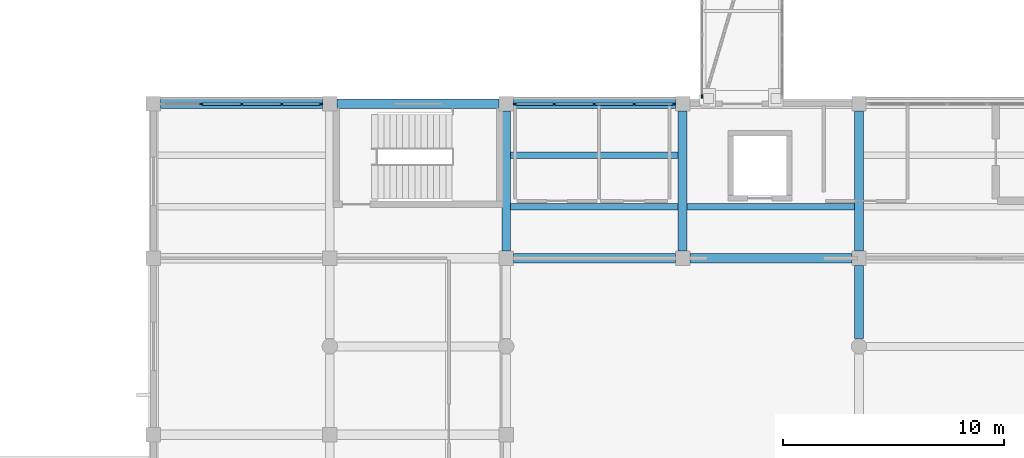
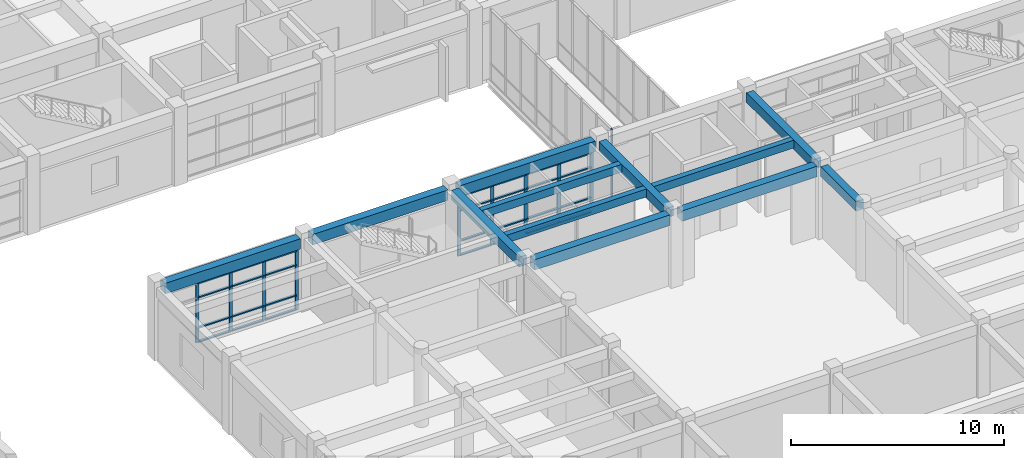
# One storey, part 18 of 72: 38 members, 12 beams, 3 elements without a shape of their own.
"""IFC4 building model written with IfcOpenShell, lengths in metres."""

from ifc_helpers import new_model, si_unit, direction, frame, origin, origin_2d, place, context, subcontext, project, spatial, rectangle, extrude, material, layer, layer_set, material_profile, profile_set, type_object, element, aggregate, save


model = new_model("IFC4")

# Units and contexts
model_context = context("Model", 3, precision=1e-05, world=origin(), true_north=direction((0.0, 1.0)))
body_context = subcontext(model_context, "Body", "Model", "MODEL_VIEW")
ifc_project = project(units=[si_unit("LENGTHUNIT", "METRE"), si_unit("AREAUNIT", "SQUARE_METRE"), si_unit("VOLUMEUNIT", "CUBIC_METRE"), si_unit("PLANEANGLEUNIT", "RADIAN"), si_unit("MASSUNIT", "GRAM", prefix="KILO")], contexts=[model_context])

# Site, building, storey
site_placement = place(None, origin())
site = spatial("IfcSite", under=ifc_project, at=site_placement, CompositionType="ELEMENT")
building_placement = place(site_placement, origin())
building = spatial("IfcBuilding", under=site, at=building_placement, Name="Naurynzar Civic Courthouse", CompositionType="ELEMENT")
storey_placement = place(building_placement, frame((0.0, 0.0, 9.89990234375)))
storey = spatial("IfcBuildingStorey", under=building, at=storey_placement, Name="L03", CompositionType="ELEMENT", Elevation=9.89990234375)

# Beams
ifc_material_1 = material(Name="Concrete C40/50", Category="concrete")
ifc_material_profile_1 = material_profile(ifc_material_1, rectangle(XDim=0.300048828125, YDim=0.449951171875, at=origin_2d()), Name="RCJ 300x450")
ifc_profile_set_1 = profile_set([ifc_material_profile_1], Name="Concrete C40/50")
beam_type_1 = type_object("IfcBeamType", Name="BM-JST-300x450", PredefinedType="JOIST", material=ifc_profile_set_1)
for number, where, z_axis, x_axis, name in (
    (1, (85.199951171875, 27.333251953125, 3.93505859375), (1.0, 0.0, 0.0), (0.0, 1.0, 0.0), "V3 secondary rib 1485 L03"),
    (2, (85.199951171875, 29.666748046875, 3.93505859375), (1.0, 0.0, 0.0), (0.0, 1.0, 0.0), "V3 secondary rib 1486 L03"),
    (3, (93.199951171875, 27.333251953125, 3.93505859375), (1.0, 0.0, 0.0), (0.0, 1.0, 0.0), "V3 secondary rib 1487 L03"),
):
    element("IfcBeam", number, at=place(storey_placement, frame(where, z_axis=z_axis, x_axis=x_axis)), inside=storey, type_object=beam_type_1, Name=name, PredefinedType="JOIST", context=body_context, shape_type="SweptSolid", body=[
        extrude(rectangle(XDim=0.300048828125, YDim=0.449951171875, at=origin_2d()), origin(), (0.0, 0.0, 1.0), 7.60009765625),
    ])
ifc_material_2 = material(Name="Concrete C40/50", Category="concrete")
ifc_material_profile_2 = material_profile(ifc_material_2, rectangle(XDim=0.39990234375, YDim=0.550048828125, at=origin_2d()), Name="RCB 400x550")
ifc_profile_set_2 = profile_set([ifc_material_profile_2], Name="Concrete C40/50")
beam_type_2 = type_object("IfcBeamType", Name="BM-RC-400x550", PredefinedType="BEAM", material=ifc_profile_set_2)
for number, where, z_axis, x_axis, name in (
    (4, (85.0, 25.324951171875, 3.885009765625), (0.0, 1.0, 0.0), (-1.0, 0.0, 0.0), "V3 girder Y-1458 L03"),
    (5, (93.0, 25.324951171875, 3.885009765625), (0.0, 1.0, 0.0), (-1.0, 0.0, 0.0), "V3 girder Y-1460 L03"),
):
    element("IfcBeam", number, at=place(storey_placement, frame(where, z_axis=z_axis, x_axis=x_axis)), inside=storey, type_object=beam_type_2, Name=name, PredefinedType="BEAM", context=body_context, shape_type="SweptSolid", body=[
        extrude(rectangle(XDim=0.39990234375, YDim=0.550048828125, at=origin_2d()), origin(), (0.0, 0.0, 1.0), 6.35009765625),
    ])
beam_1_placement = place(storey_placement, frame((101.0, 21.35009765625, 3.885009765625), z_axis=(0.0, 1.0, 0.0), x_axis=(-1.0, 0.0, 0.0)))
element("IfcBeam", 6, at=beam_1_placement, inside=storey, type_object=beam_type_2, Name="V3 girder Y-1464 L03", PredefinedType="BEAM", context=body_context, shape_type="SweptSolid", body=[
    extrude(rectangle(XDim=0.39990234375, YDim=0.550048828125, at=origin_2d()), origin(), (0.0, 0.0, 1.0), 3.324951171875),
])
beam_2_placement = place(storey_placement, frame((101.0, 25.324951171875, 3.885009765625), z_axis=(0.0, 1.0, 0.0), x_axis=(-1.0, 0.0, 0.0)))
element("IfcBeam", 7, at=beam_2_placement, inside=storey, type_object=beam_type_2, Name="V3 girder Y-1465 L03", PredefinedType="BEAM", context=body_context, shape_type="SweptSolid", body=[
    extrude(rectangle(XDim=0.39990234375, YDim=0.550048828125, at=origin_2d()), origin(), (0.0, 0.0, 1.0), 6.35009765625),
])
ifc_material_3 = material(Name="Concrete C40/50", Category="concrete")
ifc_material_profile_3 = material_profile(ifc_material_3, rectangle(XDim=0.425048828125, YDim=0.60009765625, at=origin_2d()), Name="RCB 425x600")
ifc_profile_set_3 = profile_set([ifc_material_profile_3], Name="Concrete C40/50")
beam_type_3 = type_object("IfcBeamType", Name="BM-RC-425x600", PredefinedType="BEAM", material=ifc_profile_set_3)
for number, where, z_axis, x_axis, name in (
    (8, (85.324951171875, 25.0, 3.860107421875), (1.0, 0.0, 0.0), (0.0, 1.0, 0.0), "V3 beam X-1435 L03"),
    (9, (93.324951171875, 25.0, 3.860107421875), (1.0, 0.0, 0.0), (0.0, 1.0, 0.0), "V3 beam X-1436 L03"),
    (10, (69.324951171875, 32.0, 3.860107421875), (1.0, 0.0, 0.0), (0.0, 1.0, 0.0), "V3 beam X-1439 L03"),
    (11, (77.324951171875, 32.0, 3.860107421875), (1.0, 0.0, 0.0), (0.0, 1.0, 0.0), "V3 beam X-1440 L03"),
    (12, (85.324951171875, 32.0, 3.860107421875), (1.0, 0.0, 0.0), (0.0, 1.0, 0.0), "V3 beam X-1441 L03"),
):
    element("IfcBeam", number, at=place(storey_placement, frame(where, z_axis=z_axis, x_axis=x_axis)), inside=storey, type_object=beam_type_3, Name=name, PredefinedType="BEAM", context=body_context, shape_type="SweptSolid", body=[
        extrude(rectangle(XDim=0.425048828125, YDim=0.60009765625, at=origin_2d()), origin(), (0.0, 0.0, 1.0), 7.35009765625),
    ])

# Curtain wall, member
ifc_material_4 = material(Name="Aluminium 6063-T6", Category="aluminium")
ifc_layer_1 = layer(ifc_material_4, 0.14990234375)
ifc_layer_set_1 = layer_set([ifc_layer_1], Name="CW-BRIDGE-1500")
curtain_wall_type_1 = type_object("IfcCurtainWallType", Name="CW-BRIDGE-1500", PredefinedType="USERDEFINED", material=ifc_layer_set_1)
curtain_wall_1_placement = place(storey_placement, origin())
curtain_wall_1 = element("IfcCurtainWall", 13, at=curtain_wall_1_placement, inside=storey, type_object=curtain_wall_type_1, Name="BR-C1 glazed bridge screen L03.1", ObjectType="GLAZED BRIDGE SCREEN", PredefinedType="USERDEFINED")
ifc_material_5 = material(Name="Aluminium 6063-T6", Category="aluminium")
ifc_material_profile_4 = material_profile(ifc_material_5, rectangle(XDim=0.06005859375, YDim=0.14990234375, at=origin_2d()), Name="ALU MULLION 60x150")
ifc_profile_set_4 = profile_set([ifc_material_profile_4], Name="Aluminium 6063-T6")
member_type_1 = type_object("IfcMemberType", Name="CWM-60x150", PredefinedType="MULLION", material=ifc_profile_set_4)
member_1_placement = place(storey_placement, frame((93.8798828125, 32.330078125, 0.0), z_axis=(0.0, 0.0, 1.0), x_axis=(1.0, 0.0, 0.0)))
member_1 = element("IfcMember", 14, at=member_1_placement, type_object=member_type_1, Name="CW-03 mullion 9", PredefinedType="MULLION", context=body_context, shape_type="SweptSolid", body=[
    extrude(rectangle(XDim=0.06005859375, YDim=0.14990234375, at=origin_2d()), origin(), (0.0, 0.0, 1.0), 4.1201171875),
])
aggregate(curtain_wall_1, [member_1])

# Curtain wall, members
ifc_material_6 = material(Name="Aluminium 6063-T6", Category="aluminium")
ifc_layer_2 = layer(ifc_material_6, 0.159912109375)
ifc_layer_set_2 = layer_set([ifc_layer_2], Name="CW-UNIT-1800")
curtain_wall_type_2 = type_object("IfcCurtainWallType", Name="CW-UNIT-1800", PredefinedType="NOTDEFINED", material=ifc_layer_set_2)
curtain_wall_2_placement = place(storey_placement, origin())
curtain_wall_2 = element("IfcCurtainWall", 15, at=curtain_wall_2_placement, inside=storey, type_object=curtain_wall_type_2, Name="V3 unitised curtain wall 67 L03", PredefinedType="NOTDEFINED")
ifc_material_7 = material(Name="Aluminium 6063-T6", Category="aluminium")
ifc_material_profile_5 = material_profile(ifc_material_7, rectangle(XDim=0.070068359375, YDim=0.179931640625, at=origin_2d()), Name="ALU MULLION 70x180")
ifc_profile_set_5 = profile_set([ifc_material_profile_5], Name="Aluminium 6063-T6")
member_type_2 = type_object("IfcMemberType", Name="CWM-70x180", PredefinedType="MULLION", material=ifc_profile_set_5)
member_2_placement = place(storey_placement, frame((71.1875, 32.0, 0.0), z_axis=(0.0, 0.0, 1.0), x_axis=(0.0, 1.0, 0.0)))
member_2 = element("IfcMember", 16, at=member_2_placement, type_object=member_type_2, Name="CW-02 mullion 2", PredefinedType="MULLION", context=body_context, shape_type="SweptSolid", body=[
    extrude(rectangle(XDim=0.070068359375, YDim=0.179931640625, at=origin_2d()), origin(), (0.0, 0.0, 1.0), 3.440185546875),
])
member_3_placement = place(storey_placement, frame((73.0, 32.0, 0.0), z_axis=(0.0, 0.0, 1.0), x_axis=(0.0, 1.0, 0.0)))
member_3 = element("IfcMember", 17, at=member_3_placement, type_object=member_type_2, Name="CW-02 mullion 3", PredefinedType="MULLION", context=body_context, shape_type="SweptSolid", body=[
    extrude(rectangle(XDim=0.070068359375, YDim=0.179931640625, at=origin_2d()), origin(), (0.0, 0.0, 1.0), 3.440185546875),
])
member_4_placement = place(storey_placement, frame((74.8125, 32.0, 0.0), z_axis=(0.0, 0.0, 1.0), x_axis=(0.0, 1.0, 0.0)))
member_4 = element("IfcMember", 18, at=member_4_placement, type_object=member_type_2, Name="CW-02 mullion 4", PredefinedType="MULLION", context=body_context, shape_type="SweptSolid", body=[
    extrude(rectangle(XDim=0.070068359375, YDim=0.179931640625, at=origin_2d()), origin(), (0.0, 0.0, 1.0), 3.440185546875),
])
member_5_placement = place(storey_placement, frame((76.590087890625, 32.0, 0.0), z_axis=(0.0, 0.0, 1.0), x_axis=(0.0, 1.0, 0.0)))
member_5 = element("IfcMember", 19, at=member_5_placement, type_object=member_type_2, Name="CW-02 mullion 5", PredefinedType="MULLION", context=body_context, shape_type="SweptSolid", body=[
    extrude(rectangle(XDim=0.070068359375, YDim=0.179931640625, at=origin_2d()), origin(), (0.0, 0.0, 1.0), 3.440185546875),
])

curtain_wall_3_placement = place(storey_placement, origin())
curtain_wall_3 = element("IfcCurtainWall", 20, at=curtain_wall_3_placement, inside=storey, type_object=curtain_wall_type_2, Name="V3 unitised curtain wall 68 L03", PredefinedType="NOTDEFINED")
member_6_placement = place(storey_placement, frame((85.409912109375, 32.0, 0.0), z_axis=(0.0, 0.0, 1.0), x_axis=(0.0, 1.0, 0.0)))
member_6 = element("IfcMember", 21, at=member_6_placement, type_object=member_type_2, Name="CW-02 mullion 1", PredefinedType="MULLION", context=body_context, shape_type="SweptSolid", body=[
    extrude(rectangle(XDim=0.070068359375, YDim=0.179931640625, at=origin_2d()), origin(), (0.0, 0.0, 1.0), 3.440185546875),
])
member_7_placement = place(storey_placement, frame((87.1875, 32.0, 0.0), z_axis=(0.0, 0.0, 1.0), x_axis=(0.0, 1.0, 0.0)))
member_7 = element("IfcMember", 22, at=member_7_placement, type_object=member_type_2, Name="CW-02 mullion 2", PredefinedType="MULLION", context=body_context, shape_type="SweptSolid", body=[
    extrude(rectangle(XDim=0.070068359375, YDim=0.179931640625, at=origin_2d()), origin(), (0.0, 0.0, 1.0), 3.440185546875),
])
member_8_placement = place(storey_placement, frame((89.0, 32.0, 0.0), z_axis=(0.0, 0.0, 1.0), x_axis=(0.0, 1.0, 0.0)))
member_8 = element("IfcMember", 23, at=member_8_placement, type_object=member_type_2, Name="CW-02 mullion 3", PredefinedType="MULLION", context=body_context, shape_type="SweptSolid", body=[
    extrude(rectangle(XDim=0.070068359375, YDim=0.179931640625, at=origin_2d()), origin(), (0.0, 0.0, 1.0), 3.440185546875),
])
member_9_placement = place(storey_placement, frame((90.8125, 32.0, 0.0), z_axis=(0.0, 0.0, 1.0), x_axis=(0.0, 1.0, 0.0)))
member_9 = element("IfcMember", 24, at=member_9_placement, type_object=member_type_2, Name="CW-02 mullion 4", PredefinedType="MULLION", context=body_context, shape_type="SweptSolid", body=[
    extrude(rectangle(XDim=0.070068359375, YDim=0.179931640625, at=origin_2d()), origin(), (0.0, 0.0, 1.0), 3.440185546875),
])
member_10_placement = place(storey_placement, frame((92.590087890625, 32.0, 0.0), z_axis=(0.0, 0.0, 1.0), x_axis=(0.0, 1.0, 0.0)))
member_10 = element("IfcMember", 25, at=member_10_placement, type_object=member_type_2, Name="CW-02 mullion 5", PredefinedType="MULLION", context=body_context, shape_type="SweptSolid", body=[
    extrude(rectangle(XDim=0.070068359375, YDim=0.179931640625, at=origin_2d()), origin(), (0.0, 0.0, 1.0), 3.440185546875),
])

# Member
ifc_material_8 = material(Name="Aluminium 6063-T6", Category="aluminium")
ifc_material_profile_6 = material_profile(ifc_material_8, rectangle(XDim=0.1298828125, YDim=0.070068359375, at=origin_2d()), Name="ALU TRANSOM 70x130")
ifc_profile_set_6 = profile_set([ifc_material_profile_6], Name="Aluminium 6063-T6")
member_type_3 = type_object("IfcMemberType", Name="CWT-70x130", PredefinedType="USERDEFINED", material=ifc_profile_set_6)
member_11_placement = place(storey_placement, frame((71.222412109375, 32.0, 0.03515625), z_axis=(1.0, 0.0, 0.0), x_axis=(0.0, 1.0, 0.0)))
member_11 = element("IfcMember", 26, at=member_11_placement, type_object=member_type_3, Name="CW-02 transom 2.1", ObjectType="TRANSOM", PredefinedType="USERDEFINED", context=body_context, shape_type="SweptSolid", body=[
    extrude(rectangle(XDim=0.1298828125, YDim=0.070068359375, at=origin_2d()), origin(), (0.0, 0.0, 1.0), 1.74267578125),
])

member_12_placement = place(storey_placement, frame((71.222412109375, 32.0, 0.85009765625), z_axis=(1.0, 0.0, 0.0), x_axis=(0.0, 1.0, 0.0)))
member_12 = element("IfcMember", 27, at=member_12_placement, type_object=member_type_3, Name="CW-02 transom 2.2", ObjectType="TRANSOM", PredefinedType="USERDEFINED", context=body_context, shape_type="SweptSolid", body=[
    extrude(rectangle(XDim=0.1298828125, YDim=0.070068359375, at=origin_2d()), origin(), (0.0, 0.0, 1.0), 1.74267578125),
])

member_13_placement = place(storey_placement, frame((71.222412109375, 32.0, 2.590087890625), z_axis=(1.0, 0.0, 0.0), x_axis=(0.0, 1.0, 0.0)))
member_13 = element("IfcMember", 28, at=member_13_placement, type_object=member_type_3, Name="CW-02 transom 2.3", ObjectType="TRANSOM", PredefinedType="USERDEFINED", context=body_context, shape_type="SweptSolid", body=[
    extrude(rectangle(XDim=0.1298828125, YDim=0.070068359375, at=origin_2d()), origin(), (0.0, 0.0, 1.0), 1.74267578125),
])

member_14_placement = place(storey_placement, frame((71.222412109375, 32.0, 3.405029296875), z_axis=(1.0, 0.0, 0.0), x_axis=(0.0, 1.0, 0.0)))
member_14 = element("IfcMember", 29, at=member_14_placement, type_object=member_type_3, Name="CW-02 transom 2.4", ObjectType="TRANSOM", PredefinedType="USERDEFINED", context=body_context, shape_type="SweptSolid", body=[
    extrude(rectangle(XDim=0.1298828125, YDim=0.070068359375, at=origin_2d()), origin(), (0.0, 0.0, 1.0), 1.74267578125),
])

member_15_placement = place(storey_placement, frame((73.034912109375, 32.0, 0.03515625), z_axis=(1.0, 0.0, 0.0), x_axis=(0.0, 1.0, 0.0)))
member_15 = element("IfcMember", 30, at=member_15_placement, type_object=member_type_3, Name="CW-02 transom 3.1", ObjectType="TRANSOM", PredefinedType="USERDEFINED", context=body_context, shape_type="SweptSolid", body=[
    extrude(rectangle(XDim=0.1298828125, YDim=0.070068359375, at=origin_2d()), origin(), (0.0, 0.0, 1.0), 1.74267578125),
])

member_16_placement = place(storey_placement, frame((73.034912109375, 32.0, 0.85009765625), z_axis=(1.0, 0.0, 0.0), x_axis=(0.0, 1.0, 0.0)))
member_16 = element("IfcMember", 31, at=member_16_placement, type_object=member_type_3, Name="CW-02 transom 3.2", ObjectType="TRANSOM", PredefinedType="USERDEFINED", context=body_context, shape_type="SweptSolid", body=[
    extrude(rectangle(XDim=0.1298828125, YDim=0.070068359375, at=origin_2d()), origin(), (0.0, 0.0, 1.0), 1.74267578125),
])

member_17_placement = place(storey_placement, frame((73.034912109375, 32.0, 2.590087890625), z_axis=(1.0, 0.0, 0.0), x_axis=(0.0, 1.0, 0.0)))
member_17 = element("IfcMember", 32, at=member_17_placement, type_object=member_type_3, Name="CW-02 transom 3.3", ObjectType="TRANSOM", PredefinedType="USERDEFINED", context=body_context, shape_type="SweptSolid", body=[
    extrude(rectangle(XDim=0.1298828125, YDim=0.070068359375, at=origin_2d()), origin(), (0.0, 0.0, 1.0), 1.74267578125),
])

member_18_placement = place(storey_placement, frame((73.034912109375, 32.0, 3.405029296875), z_axis=(1.0, 0.0, 0.0), x_axis=(0.0, 1.0, 0.0)))
member_18 = element("IfcMember", 33, at=member_18_placement, type_object=member_type_3, Name="CW-02 transom 3.4", ObjectType="TRANSOM", PredefinedType="USERDEFINED", context=body_context, shape_type="SweptSolid", body=[
    extrude(rectangle(XDim=0.1298828125, YDim=0.070068359375, at=origin_2d()), origin(), (0.0, 0.0, 1.0), 1.74267578125),
])

member_19_placement = place(storey_placement, frame((74.847412109375, 32.0, 0.03515625), z_axis=(1.0, 0.0, 0.0), x_axis=(0.0, 1.0, 0.0)))
member_19 = element("IfcMember", 34, at=member_19_placement, type_object=member_type_3, Name="CW-02 transom 4.1", ObjectType="TRANSOM", PredefinedType="USERDEFINED", context=body_context, shape_type="SweptSolid", body=[
    extrude(rectangle(XDim=0.1298828125, YDim=0.070068359375, at=origin_2d()), origin(), (0.0, 0.0, 1.0), 1.70751953125),
])

member_20_placement = place(storey_placement, frame((74.847412109375, 32.0, 0.85009765625), z_axis=(1.0, 0.0, 0.0), x_axis=(0.0, 1.0, 0.0)))
member_20 = element("IfcMember", 35, at=member_20_placement, type_object=member_type_3, Name="CW-02 transom 4.2", ObjectType="TRANSOM", PredefinedType="USERDEFINED", context=body_context, shape_type="SweptSolid", body=[
    extrude(rectangle(XDim=0.1298828125, YDim=0.070068359375, at=origin_2d()), origin(), (0.0, 0.0, 1.0), 1.70751953125),
])

member_21_placement = place(storey_placement, frame((74.847412109375, 32.0, 2.590087890625), z_axis=(1.0, 0.0, 0.0), x_axis=(0.0, 1.0, 0.0)))
member_21 = element("IfcMember", 36, at=member_21_placement, type_object=member_type_3, Name="CW-02 transom 4.3", ObjectType="TRANSOM", PredefinedType="USERDEFINED", context=body_context, shape_type="SweptSolid", body=[
    extrude(rectangle(XDim=0.1298828125, YDim=0.070068359375, at=origin_2d()), origin(), (0.0, 0.0, 1.0), 1.70751953125),
])

member_22_placement = place(storey_placement, frame((74.847412109375, 32.0, 3.405029296875), z_axis=(1.0, 0.0, 0.0), x_axis=(0.0, 1.0, 0.0)))
member_22 = element("IfcMember", 37, at=member_22_placement, type_object=member_type_3, Name="CW-02 transom 4.4", ObjectType="TRANSOM", PredefinedType="USERDEFINED", context=body_context, shape_type="SweptSolid", body=[
    extrude(rectangle(XDim=0.1298828125, YDim=0.070068359375, at=origin_2d()), origin(), (0.0, 0.0, 1.0), 1.70751953125),
])

aggregate(curtain_wall_2, [member_2, member_3, member_4, member_5, member_11, member_12, member_13, member_14, member_15, member_16, member_17, member_18, member_19, member_20, member_21, member_22])

member_23_placement = place(storey_placement, frame((85.445068359375, 32.0, 0.03515625), z_axis=(1.0, 0.0, 0.0), x_axis=(0.0, 1.0, 0.0)))
member_23 = element("IfcMember", 38, at=member_23_placement, type_object=member_type_3, Name="CW-02 transom 1.1", ObjectType="TRANSOM", PredefinedType="USERDEFINED", context=body_context, shape_type="SweptSolid", body=[
    extrude(rectangle(XDim=0.1298828125, YDim=0.070068359375, at=origin_2d()), origin(), (0.0, 0.0, 1.0), 1.70751953125),
])

member_24_placement = place(storey_placement, frame((85.445068359375, 32.0, 0.85009765625), z_axis=(1.0, 0.0, 0.0), x_axis=(0.0, 1.0, 0.0)))
member_24 = element("IfcMember", 39, at=member_24_placement, type_object=member_type_3, Name="CW-02 transom 1.2", ObjectType="TRANSOM", PredefinedType="USERDEFINED", context=body_context, shape_type="SweptSolid", body=[
    extrude(rectangle(XDim=0.1298828125, YDim=0.070068359375, at=origin_2d()), origin(), (0.0, 0.0, 1.0), 1.70751953125),
])

member_25_placement = place(storey_placement, frame((85.445068359375, 32.0, 2.590087890625), z_axis=(1.0, 0.0, 0.0), x_axis=(0.0, 1.0, 0.0)))
member_25 = element("IfcMember", 40, at=member_25_placement, type_object=member_type_3, Name="CW-02 transom 1.3", ObjectType="TRANSOM", PredefinedType="USERDEFINED", context=body_context, shape_type="SweptSolid", body=[
    extrude(rectangle(XDim=0.1298828125, YDim=0.070068359375, at=origin_2d()), origin(), (0.0, 0.0, 1.0), 1.70751953125),
])

member_26_placement = place(storey_placement, frame((85.445068359375, 32.0, 3.405029296875), z_axis=(1.0, 0.0, 0.0), x_axis=(0.0, 1.0, 0.0)))
member_26 = element("IfcMember", 41, at=member_26_placement, type_object=member_type_3, Name="CW-02 transom 1.4", ObjectType="TRANSOM", PredefinedType="USERDEFINED", context=body_context, shape_type="SweptSolid", body=[
    extrude(rectangle(XDim=0.1298828125, YDim=0.070068359375, at=origin_2d()), origin(), (0.0, 0.0, 1.0), 1.70751953125),
])

member_27_placement = place(storey_placement, frame((87.222412109375, 32.0, 0.03515625), z_axis=(1.0, 0.0, 0.0), x_axis=(0.0, 1.0, 0.0)))
member_27 = element("IfcMember", 42, at=member_27_placement, type_object=member_type_3, Name="CW-02 transom 2.1", ObjectType="TRANSOM", PredefinedType="USERDEFINED", context=body_context, shape_type="SweptSolid", body=[
    extrude(rectangle(XDim=0.1298828125, YDim=0.070068359375, at=origin_2d()), origin(), (0.0, 0.0, 1.0), 1.74267578125),
])

member_28_placement = place(storey_placement, frame((87.222412109375, 32.0, 0.85009765625), z_axis=(1.0, 0.0, 0.0), x_axis=(0.0, 1.0, 0.0)))
member_28 = element("IfcMember", 43, at=member_28_placement, type_object=member_type_3, Name="CW-02 transom 2.2", ObjectType="TRANSOM", PredefinedType="USERDEFINED", context=body_context, shape_type="SweptSolid", body=[
    extrude(rectangle(XDim=0.1298828125, YDim=0.070068359375, at=origin_2d()), origin(), (0.0, 0.0, 1.0), 1.74267578125),
])

member_29_placement = place(storey_placement, frame((87.222412109375, 32.0, 2.590087890625), z_axis=(1.0, 0.0, 0.0), x_axis=(0.0, 1.0, 0.0)))
member_29 = element("IfcMember", 44, at=member_29_placement, type_object=member_type_3, Name="CW-02 transom 2.3", ObjectType="TRANSOM", PredefinedType="USERDEFINED", context=body_context, shape_type="SweptSolid", body=[
    extrude(rectangle(XDim=0.1298828125, YDim=0.070068359375, at=origin_2d()), origin(), (0.0, 0.0, 1.0), 1.74267578125),
])

member_30_placement = place(storey_placement, frame((87.222412109375, 32.0, 3.405029296875), z_axis=(1.0, 0.0, 0.0), x_axis=(0.0, 1.0, 0.0)))
member_30 = element("IfcMember", 45, at=member_30_placement, type_object=member_type_3, Name="CW-02 transom 2.4", ObjectType="TRANSOM", PredefinedType="USERDEFINED", context=body_context, shape_type="SweptSolid", body=[
    extrude(rectangle(XDim=0.1298828125, YDim=0.070068359375, at=origin_2d()), origin(), (0.0, 0.0, 1.0), 1.74267578125),
])

member_31_placement = place(storey_placement, frame((89.034912109375, 32.0, 0.03515625), z_axis=(1.0, 0.0, 0.0), x_axis=(0.0, 1.0, 0.0)))
member_31 = element("IfcMember", 46, at=member_31_placement, type_object=member_type_3, Name="CW-02 transom 3.1", ObjectType="TRANSOM", PredefinedType="USERDEFINED", context=body_context, shape_type="SweptSolid", body=[
    extrude(rectangle(XDim=0.1298828125, YDim=0.070068359375, at=origin_2d()), origin(), (0.0, 0.0, 1.0), 1.74267578125),
])

member_32_placement = place(storey_placement, frame((89.034912109375, 32.0, 0.85009765625), z_axis=(1.0, 0.0, 0.0), x_axis=(0.0, 1.0, 0.0)))
member_32 = element("IfcMember", 47, at=member_32_placement, type_object=member_type_3, Name="CW-02 transom 3.2", ObjectType="TRANSOM", PredefinedType="USERDEFINED", context=body_context, shape_type="SweptSolid", body=[
    extrude(rectangle(XDim=0.1298828125, YDim=0.070068359375, at=origin_2d()), origin(), (0.0, 0.0, 1.0), 1.74267578125),
])

member_33_placement = place(storey_placement, frame((89.034912109375, 32.0, 2.590087890625), z_axis=(1.0, 0.0, 0.0), x_axis=(0.0, 1.0, 0.0)))
member_33 = element("IfcMember", 48, at=member_33_placement, type_object=member_type_3, Name="CW-02 transom 3.3", ObjectType="TRANSOM", PredefinedType="USERDEFINED", context=body_context, shape_type="SweptSolid", body=[
    extrude(rectangle(XDim=0.1298828125, YDim=0.070068359375, at=origin_2d()), origin(), (0.0, 0.0, 1.0), 1.74267578125),
])

member_34_placement = place(storey_placement, frame((89.034912109375, 32.0, 3.405029296875), z_axis=(1.0, 0.0, 0.0), x_axis=(0.0, 1.0, 0.0)))
member_34 = element("IfcMember", 49, at=member_34_placement, type_object=member_type_3, Name="CW-02 transom 3.4", ObjectType="TRANSOM", PredefinedType="USERDEFINED", context=body_context, shape_type="SweptSolid", body=[
    extrude(rectangle(XDim=0.1298828125, YDim=0.070068359375, at=origin_2d()), origin(), (0.0, 0.0, 1.0), 1.74267578125),
])

member_35_placement = place(storey_placement, frame((90.847412109375, 32.0, 0.03515625), z_axis=(1.0, 0.0, 0.0), x_axis=(0.0, 1.0, 0.0)))
member_35 = element("IfcMember", 50, at=member_35_placement, type_object=member_type_3, Name="CW-02 transom 4.1", ObjectType="TRANSOM", PredefinedType="USERDEFINED", context=body_context, shape_type="SweptSolid", body=[
    extrude(rectangle(XDim=0.1298828125, YDim=0.070068359375, at=origin_2d()), origin(), (0.0, 0.0, 1.0), 1.70751953125),
])

member_36_placement = place(storey_placement, frame((90.847412109375, 32.0, 0.85009765625), z_axis=(1.0, 0.0, 0.0), x_axis=(0.0, 1.0, 0.0)))
member_36 = element("IfcMember", 51, at=member_36_placement, type_object=member_type_3, Name="CW-02 transom 4.2", ObjectType="TRANSOM", PredefinedType="USERDEFINED", context=body_context, shape_type="SweptSolid", body=[
    extrude(rectangle(XDim=0.1298828125, YDim=0.070068359375, at=origin_2d()), origin(), (0.0, 0.0, 1.0), 1.70751953125),
])

member_37_placement = place(storey_placement, frame((90.847412109375, 32.0, 2.590087890625), z_axis=(1.0, 0.0, 0.0), x_axis=(0.0, 1.0, 0.0)))
member_37 = element("IfcMember", 52, at=member_37_placement, type_object=member_type_3, Name="CW-02 transom 4.3", ObjectType="TRANSOM", PredefinedType="USERDEFINED", context=body_context, shape_type="SweptSolid", body=[
    extrude(rectangle(XDim=0.1298828125, YDim=0.070068359375, at=origin_2d()), origin(), (0.0, 0.0, 1.0), 1.70751953125),
])

member_38_placement = place(storey_placement, frame((90.847412109375, 32.0, 3.405029296875), z_axis=(1.0, 0.0, 0.0), x_axis=(0.0, 1.0, 0.0)))
member_38 = element("IfcMember", 53, at=member_38_placement, type_object=member_type_3, Name="CW-02 transom 4.4", ObjectType="TRANSOM", PredefinedType="USERDEFINED", context=body_context, shape_type="SweptSolid", body=[
    extrude(rectangle(XDim=0.1298828125, YDim=0.070068359375, at=origin_2d()), origin(), (0.0, 0.0, 1.0), 1.70751953125),
])

aggregate(curtain_wall_3, [member_6, member_7, member_8, member_9, member_10, member_23, member_24, member_25, member_26, member_27, member_28, member_29, member_30, member_31, member_32, member_33, member_34, member_35, member_36, member_37, member_38])

save(model, "model.ifc")
